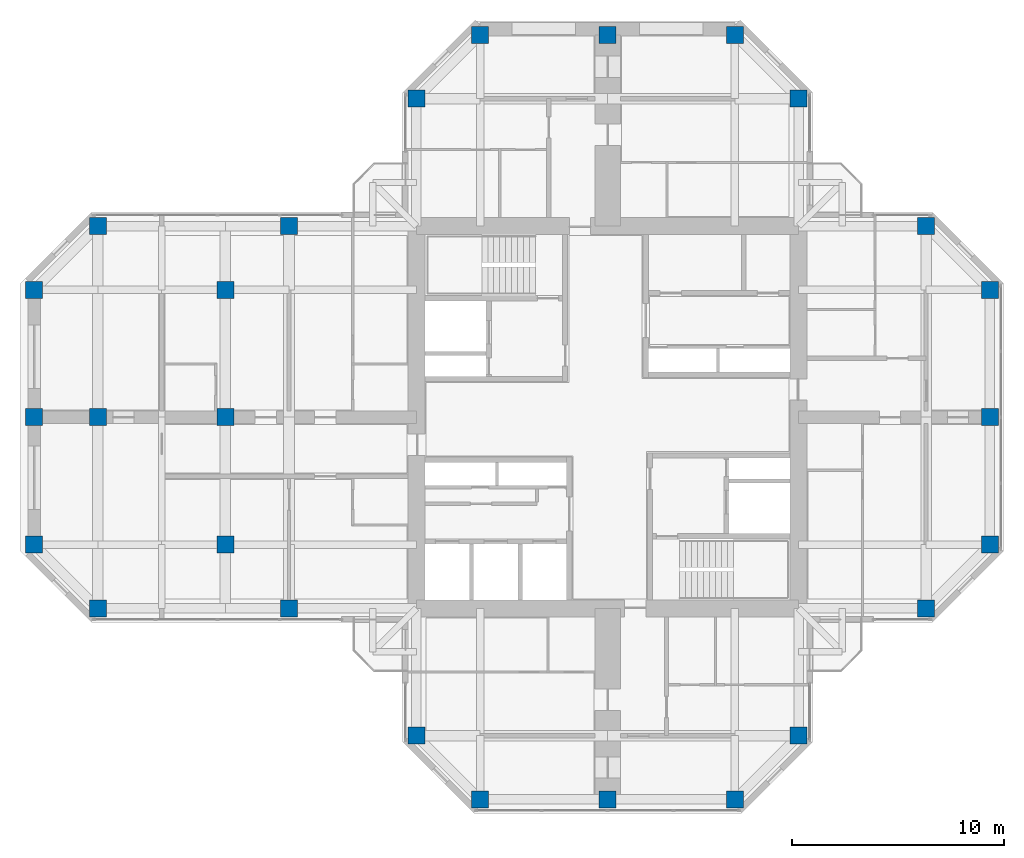
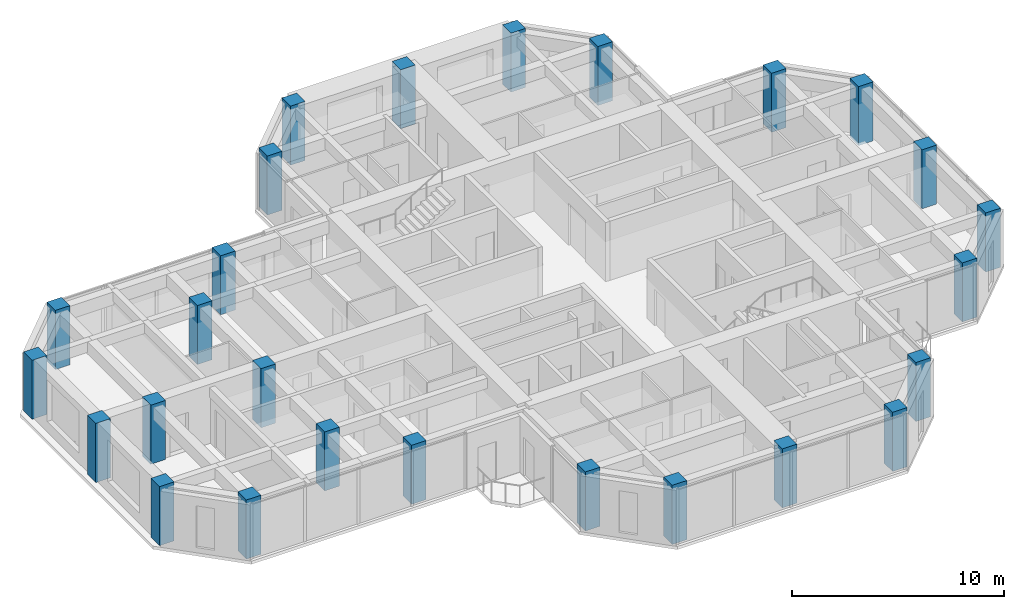
# One storey, part 1 of 13: 26 columns.
"""IFC4 building model written with IfcOpenShell, lengths in metres."""

import ifcopenshell
import ifcopenshell.guid

model = None  # the IFC model being written
_history = None  # IfcOwnerHistory: only IFC2X3 demands one
_inside = {}  # id of a spatial element -> (the spatial element, [elements in it])
_under = {}  # id of a project, library or spatial element -> (it, [spatial elements below it])
_declared = {}  # id of a project -> (the project, [libraries it declares])
_typed = {}  # id of a type object -> (the type object, [elements of that type])
_made_of = {}  # id of a material, layer set ... -> (it, [elements and type objects made of it])


def new_model(schema):
    """Start an empty IFC model of exactly this schema.

    Asked for "IFC4X3", IfcOpenShell would pick the latest addendum, in which some entities
    have other attributes; the version numbers below select the first issue.
    IFC2X3 requires an IfcOwnerHistory on every rooted entity: one is made here for all.
    """
    global model, _history
    if schema == "IFC4X3":
        model = ifcopenshell.file(schema_version=(4, 3, 0, 0))
    else:
        model = ifcopenshell.file(schema=schema)
    _inside.clear()
    _under.clear()
    _declared.clear()
    _typed.clear()
    _made_of.clear()
    _history = None
    if model.schema == "IFC2X3":
        org = make("IfcOrganization", Name="unknown")
        user = make(
            "IfcPersonAndOrganization",
            ThePerson=make("IfcPerson", FamilyName="unknown"),
            TheOrganization=org,
        )
        app = make(
            "IfcApplication",
            ApplicationDeveloper=org,
            Version="unknown",
            ApplicationFullName="unknown",
            ApplicationIdentifier="unknown",
        )
        _history = make(
            "IfcOwnerHistory",
            OwningUser=user,
            OwningApplication=app,
            ChangeAction="ADDED",
            CreationDate=0,
        )
    return model


def make(cls, **values):
    """One entity of the class cls with the attributes given. An attribute that is None is left unset."""
    return model.create_entity(
        cls, **{name: value for name, value in values.items() if value is not None}
    )


def rooted(cls, **values):
    """An entity with a GlobalId (a new one), such as an element, a storey or a relation."""
    return make(cls, GlobalId=ifcopenshell.guid.new(), OwnerHistory=_history, **values)


def si_unit(unit_type, name, prefix=None):
    """IfcSIUnit, for example si_unit("LENGTHUNIT", "METRE", prefix="MILLI")."""
    return make("IfcSIUnit", UnitType=unit_type, Prefix=prefix, Name=name)


def assignment(units):
    """IfcUnitAssignment: the units of a project."""
    return None if units is None else make("IfcUnitAssignment", Units=units)


def point(xyz):
    """IfcCartesianPoint."""
    return None if xyz is None else make("IfcCartesianPoint", Coordinates=xyz)


def direction(xyz):
    """IfcDirection."""
    return None if xyz is None else make("IfcDirection", DirectionRatios=xyz)


def frame(location, z_axis=None, x_axis=None):
    """IfcAxis2Placement3D, a coordinate frame: its origin and axes. An axis left out is left unset."""
    return make(
        "IfcAxis2Placement3D",
        Location=point(location),
        Axis=direction(z_axis),
        RefDirection=direction(x_axis),
    )


def frame_2d(location, x_axis=None):
    """IfcAxis2Placement2D, a coordinate frame in the plane: its origin and x axis."""
    return make(
        "IfcAxis2Placement2D", Location=point(location), RefDirection=direction(x_axis)
    )


def origin():
    """The frame at (0, 0, 0) with its axes left unset."""
    return frame((0.0, 0.0, 0.0))


def origin_2d():
    """The frame at (0, 0) in the plane with its x axis left unset."""
    return frame_2d((0.0, 0.0))


def place(relative_to, where):
    """IfcLocalPlacement: puts the frame where relative to a parent placement (None: the world)."""
    return make(
        "IfcLocalPlacement", PlacementRelTo=relative_to, RelativePlacement=where
    )


def context(
    kind, dimensions, precision=None, world=None, true_north=None, identifier=None
):
    """IfcGeometricRepresentationContext, for example the 3D "Model" context."""
    return make(
        "IfcGeometricRepresentationContext",
        ContextIdentifier=identifier,
        ContextType=kind,
        CoordinateSpaceDimension=dimensions,
        Precision=precision,
        WorldCoordinateSystem=world,
        TrueNorth=true_north,
    )


def subcontext(parent, identifier, kind, view, scale=None):
    """IfcGeometricRepresentationSubContext, for example "Body" below "Model"."""
    return make(
        "IfcGeometricRepresentationSubContext",
        ContextIdentifier=identifier,
        ContextType=kind,
        ParentContext=parent,
        TargetScale=scale,
        TargetView=view,
    )


def project(units=None, contexts=None):
    """IfcProject with its units and contexts."""
    return rooted(
        "IfcProject",
        Name="project",
        RepresentationContexts=contexts,
        UnitsInContext=assignment(units),
    )


def spatial(cls, under=None, at=None, **own):
    """A site, building, storey or space (cls), placed at a placement, below another one or the project."""
    s = rooted(cls, ObjectPlacement=at, **own)
    if under is not None:
        _under.setdefault(under.id(), (under, []))[1].append(s)
    return s


def profile(cls, at=None, kind="AREA", **sizes):
    """A parametric profile (cls). Its sizes go by their IFC names, for example OverallWidth=200.0."""
    return make(cls, ProfileType=kind, Position=at, **sizes)


def rectangle(**sizes):
    """IfcRectangleProfileDef."""
    return profile("IfcRectangleProfileDef", **sizes)


def extrude(swept, where, along, depth):
    """IfcExtrudedAreaSolid: the profile swept, set in the frame where, extruded along a direction by depth."""
    return make(
        "IfcExtrudedAreaSolid",
        SweptArea=swept,
        Position=where,
        ExtrudedDirection=direction(along),
        Depth=depth,
    )


def shape(context_of_items, identifier, shape_type, items):
    """IfcShapeRepresentation: the items that make up one representation, for example the "Body"."""
    return make(
        "IfcShapeRepresentation",
        ContextOfItems=context_of_items,
        RepresentationIdentifier=identifier,
        RepresentationType=shape_type,
        Items=items,
    )


def material(Name=None, Category=None):
    """IfcMaterial."""
    return make("IfcMaterial", Name=Name, Category=Category)


def material_profile(
    of_material, cross_section, Name=None, Category=None, Priority=None
):
    """IfcMaterialProfile: a cross section and its material."""
    return make(
        "IfcMaterialProfile",
        Name=Name,
        Material=of_material,
        Profile=cross_section,
        Priority=Priority,
        Category=Category,
    )


def profile_set(profiles, Name=None, composite=None):
    """IfcMaterialProfileSet."""
    return make(
        "IfcMaterialProfileSet",
        Name=Name,
        MaterialProfiles=profiles,
        CompositeProfile=composite,
    )


def made_of(thing, what):
    """Note that an element or type object is made of a material, layer set ...; save() writes the relation."""
    if what is not None:
        _made_of.setdefault(what.id(), (what, []))[1].append(thing)
    return thing


def type_object(cls, material=None, **own):
    """A type object (cls), such as IfcWallType, which elements share."""
    return made_of(rooted(cls, **own), material)


def element(
    cls,
    number,
    at=None,
    inside=None,
    cuts=None,
    type_object=None,
    material=None,
    context=None,
    identifier="Body",
    shape_type=None,
    held_by="IfcProductDefinitionShape",
    body=None,
    shapes=None,
    **own,
):
    """One element of the class cls, such as IfcWall. Its Tag is "e" and its number.

    at: its placement. inside: the storey or other place that contains it. cuts: it is an
    opening in that element (IfcRelVoidsElement). A single representation is given by context,
    identifier, shape_type and body (its items); several are given by shapes. held_by: the class
    of the entity that holds the representations. save() writes the other relations.
    """
    e = rooted(cls, Tag="e%d" % number, ObjectPlacement=at, **own)
    if body is not None:
        shapes = [shape(context, identifier, shape_type, body)]
    if shapes is not None:
        e.Representation = make(held_by, Representations=shapes)
    if inside is not None:
        _inside.setdefault(inside.id(), (inside, []))[1].append(e)
    if cuts is not None:
        rooted(
            "IfcRelVoidsElement", RelatingBuildingElement=cuts, RelatedOpeningElement=e
        )
    if type_object is not None:
        _typed.setdefault(type_object.id(), (type_object, []))[1].append(e)
    return made_of(e, material)


def aggregate(whole, parts):
    """IfcRelAggregates: a whole, such as a stair, and the parts it consists of."""
    return rooted("IfcRelAggregates", RelatingObject=whole, RelatedObjects=parts)


def save(model, path):
    """Write the relations noted so far, then the file.

    IfcRelAggregates (storeys below a building ...), IfcRelContainedInSpatialStructure (elements
    in a storey), IfcRelDefinesByType, IfcRelAssociatesMaterial and IfcRelDeclares: one each for
    every whole, place, type object, material and project.
    """
    for whole, parts in _under.values():
        aggregate(whole, parts)
    for where, things in _inside.values():
        rooted(
            "IfcRelContainedInSpatialStructure",
            RelatedElements=things,
            RelatingStructure=where,
        )
    for kind, things in _typed.values():
        rooted("IfcRelDefinesByType", RelatedObjects=things, RelatingType=kind)
    for what, things in _made_of.values():
        rooted("IfcRelAssociatesMaterial", RelatedObjects=things, RelatingMaterial=what)
    for by, libraries in _declared.values():
        rooted("IfcRelDeclares", RelatingContext=by, RelatedDefinitions=libraries)
    model.write(path)


model = new_model("IFC4")

# Units and contexts
model_context = context("Model", 3, precision=1e-05, world=origin(), true_north=direction((0.0, 1.0)))
body_context = subcontext(model_context, "Body", "Model", "MODEL_VIEW")
ifc_project = project(units=[si_unit("LENGTHUNIT", "METRE"), si_unit("AREAUNIT", "SQUARE_METRE"), si_unit("VOLUMEUNIT", "CUBIC_METRE"), si_unit("PLANEANGLEUNIT", "RADIAN"), si_unit("MASSUNIT", "GRAM", prefix="KILO")], contexts=[model_context])

# Site, building, storey
site_placement = place(None, origin())
site = spatial("IfcSite", under=ifc_project, at=site_placement, CompositionType="ELEMENT")
building_placement = place(site_placement, origin())
building = spatial("IfcBuilding", under=site, at=building_placement, Name="Torre Cruceta", CompositionType="ELEMENT")
storey_placement = place(building_placement, frame((0.0, 0.0, 232.300048828125)))
storey = spatial("IfcBuildingStorey", under=building, at=storey_placement, Name="L59", CompositionType="ELEMENT", Elevation=232.300048828125)

# Columns
ifc_material = material(Name="Concrete G60 (fck 60 MPa)", Category="concrete")
ifc_material_profile = material_profile(ifc_material, rectangle(XDim=0.800048828125, YDim=0.800048828125, at=origin_2d()), Name="RC 800X800")
ifc_profile_set = profile_set([ifc_material_profile], Name="Concrete G60 (fck 60 MPa)")
column_type = type_object("IfcColumnType", Name="COLUMN RC 800X800", PredefinedType="COLUMN", material=ifc_profile_set)
for number, where, z_axis, x_axis, name in (
    (1, (9.0, 15.0, 0.0), (0.0, 0.0, 1.0), (1.0, 0.0, 0.0), "C7 L59 N chamfer"),
    (2, (-9.0, 15.0, 0.0), (0.0, 0.0, 1.0), (1.0, 0.0, 0.0), "C7 L59 N chamfer"),
    (3, (6.0, 18.0, 0.0), (0.0, 0.0, 1.0), (1.0, 0.0, 0.0), "C7 L59 N tip"),
    (4, (0.0, 18.0, 0.0), (0.0, 0.0, 1.0), (1.0, 0.0, 0.0), "C7 L59 N tip"),
    (5, (-6.0, 18.0, 0.0), (0.0, 0.0, 1.0), (1.0, 0.0, 0.0), "C7 L59 N tip"),
    (6, (15.0, -9.0, 0.0), (0.0, 0.0, 1.0), (1.0, 0.0, 0.0), "C7 L59 E chamfer"),
    (7, (15.0, 9.0, 0.0), (0.0, 0.0, 1.0), (1.0, 0.0, 0.0), "C7 L59 E chamfer"),
    (8, (18.0, -6.0, 0.0), (0.0, 0.0, 1.0), (1.0, 0.0, 0.0), "C7 L59 E tip"),
    (9, (18.0, 0.0, 0.0), (0.0, 0.0, 1.0), (1.0, 0.0, 0.0), "C7 L59 E tip"),
    (10, (18.0, 6.0, 0.0), (0.0, 0.0, 1.0), (1.0, 0.0, 0.0), "C7 L59 E tip"),
    (11, (-9.0, -15.0, 0.0), (0.0, 0.0, 1.0), (1.0, 0.0, 0.0), "C7 L59 S chamfer"),
    (12, (9.0, -15.0, 0.0), (0.0, 0.0, 1.0), (1.0, 0.0, 0.0), "C7 L59 S chamfer"),
    (13, (-6.0, -18.0, 0.0), (0.0, 0.0, 1.0), (1.0, 0.0, 0.0), "C7 L59 S tip"),
    (14, (0.0, -18.0, 0.0), (0.0, 0.0, 1.0), (1.0, 0.0, 0.0), "C7 L59 S tip"),
    (15, (6.0, -18.0, 0.0), (0.0, 0.0, 1.0), (1.0, 0.0, 0.0), "C7 L59 S tip"),
    (16, (-15.0, 9.0, 0.0), (0.0, 0.0, 1.0), (1.0, 0.0, 0.0), "C7 L59 W side"),
    (17, (-24.0, 9.0, 0.0), (0.0, 0.0, 1.0), (1.0, 0.0, 0.0), "C7 L59 W chamfer"),
    (18, (-15.0, -9.0, 0.0), (0.0, 0.0, 1.0), (1.0, 0.0, 0.0), "C7 L59 W side"),
    (19, (-24.0, -9.0, 0.0), (0.0, 0.0, 1.0), (1.0, 0.0, 0.0), "C7 L59 W chamfer"),
    (20, (-27.0, 6.0, 0.0), (0.0, 0.0, 1.0), (1.0, 0.0, 0.0), "C7 L59 W tip"),
    (21, (-27.0, 0.0, 0.0), (0.0, 0.0, 1.0), (1.0, 0.0, 0.0), "C7 L59 W tip"),
    (22, (-27.0, -6.0, 0.0), (0.0, 0.0, 1.0), (1.0, 0.0, 0.0), "C7 L59 W tip"),
    (23, (-18.0, 6.0, 0.0), (0.0, 0.0, 1.0), (1.0, 0.0, 0.0), "C7 L59 W interior"),
    (24, (-18.0, 0.0, 0.0), (0.0, 0.0, 1.0), (1.0, 0.0, 0.0), "C7 L59 W interior"),
    (25, (-18.0, -6.0, 0.0), (0.0, 0.0, 1.0), (1.0, 0.0, 0.0), "C7 L59 W interior"),
    (26, (-24.0, 0.0, 0.0), (0.0, 0.0, 1.0), (1.0, 0.0, 0.0), "C7 L59 W interior"),
):
    element("IfcColumn", number, at=place(storey_placement, frame(where, z_axis=z_axis, x_axis=x_axis)), inside=storey, type_object=column_type, Name=name, PredefinedType="COLUMN", context=body_context, shape_type="SweptSolid", body=[
        extrude(rectangle(XDim=0.800048828125, YDim=0.800048828125, at=origin_2d()), origin(), (0.0, 0.0, 1.0), 3.39990234375),
    ])

save(model, "model.ifc")
